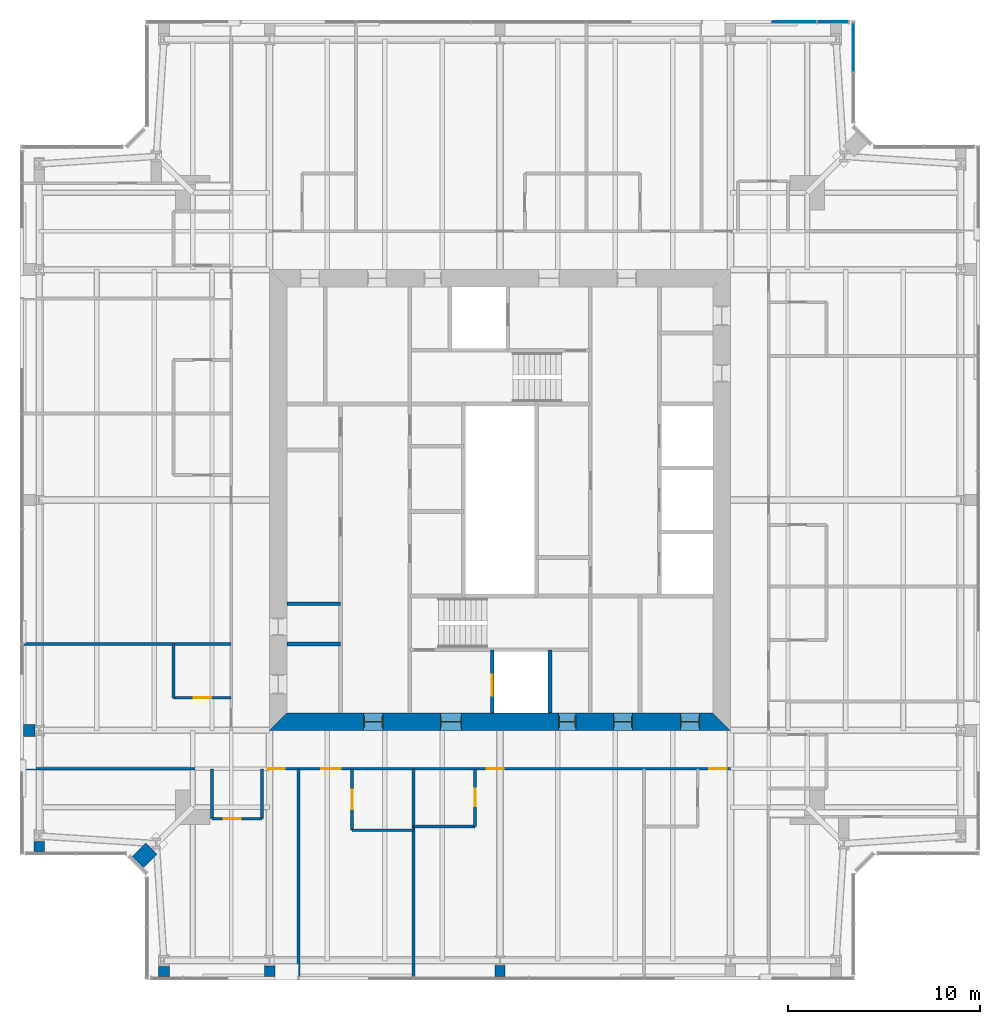
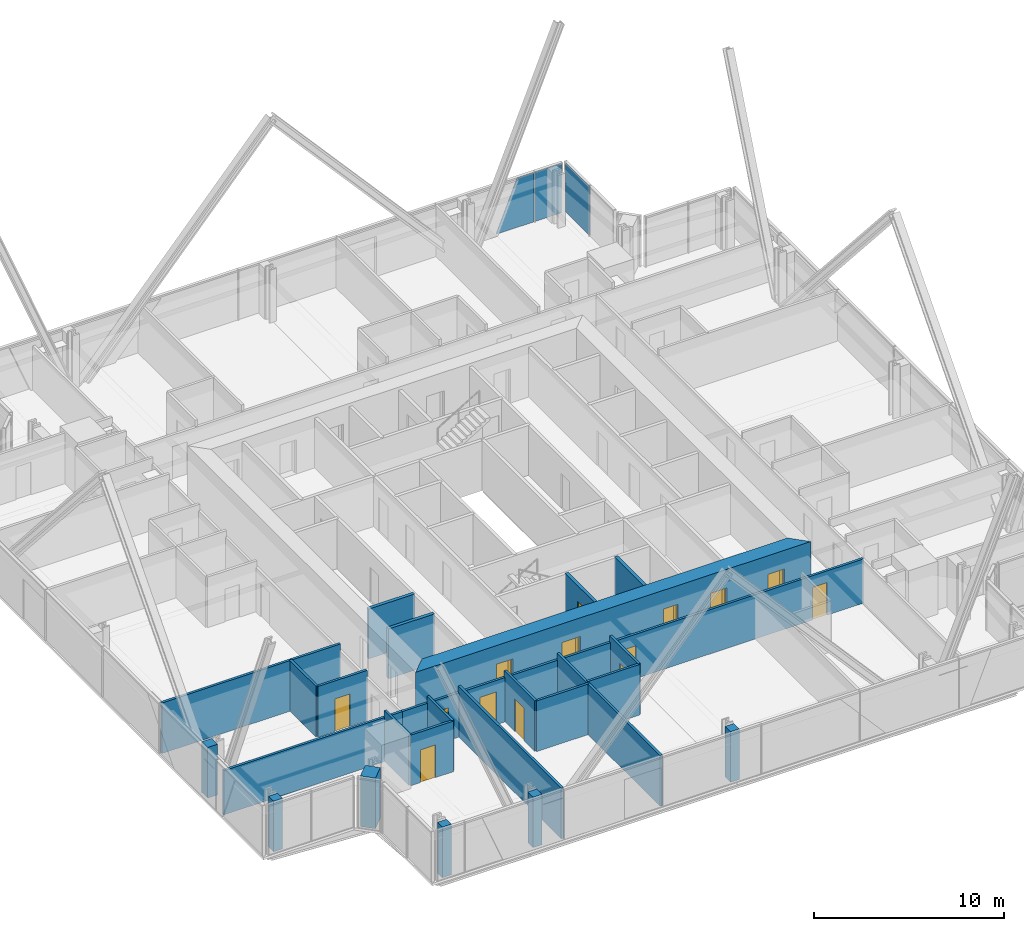
# One storey, part 11 of 18: 25 walls, 14 doors, 3 plates, 14 openings, 2 elements without a shape of their own.
"""IFC4 building model written with IfcOpenShell, lengths in metres."""

from ifc_helpers import new_model, si_unit, direction, frame, frame_2d, origin, origin_2d, place, context, subcontext, project, spatial, polyline, rectangle, outline, extrude, material, layer, layer_set, type_object, element, fill, aggregate, save


model = new_model("IFC4")

# Units and contexts
model_context = context("Model", 3, precision=1e-05, world=origin(), true_north=direction((0.0, 1.0)))
body_context = subcontext(model_context, "Body", "Model", "MODEL_VIEW")
ifc_project = project(units=[si_unit("LENGTHUNIT", "METRE"), si_unit("AREAUNIT", "SQUARE_METRE"), si_unit("VOLUMEUNIT", "CUBIC_METRE"), si_unit("PLANEANGLEUNIT", "RADIAN"), si_unit("MASSUNIT", "GRAM", prefix="KILO")], contexts=[model_context])

# Site, building, storey
site_placement = place(None, origin())
site = spatial("IfcSite", under=ifc_project, at=site_placement, CompositionType="ELEMENT")
building_placement = place(site_placement, origin())
building = spatial("IfcBuilding", under=site, at=building_placement, Name="Fenwick Lantern Interchange", CompositionType="ELEMENT")
storey_placement = place(building_placement, frame((0.0, 0.0, 269.60009765625)))
storey = spatial("IfcBuildingStorey", under=building, at=storey_placement, Name="L64", CompositionType="ELEMENT", Elevation=269.60009765625)

# Curtain wall, plate
ifc_material_1 = material(Name="Aluminium curtain wall frame", Category="aluminium")
curtain_wall_type = type_object("IfcCurtainWallType", Name="HOTEL CURTAIN WALL", PredefinedType="USERDEFINED", material=ifc_material_1)
curtain_wall_1_placement = place(storey_placement, origin())
curtain_wall_1 = element("IfcCurtainWall", 1, at=curtain_wall_1_placement, inside=storey, type_object=curtain_wall_type, Name="Hotel curtain wall 08", ObjectType="HOTEL CURTAIN WALL", PredefinedType="USERDEFINED")
ifc_material_2 = material(Name="Vision glass, acoustic laminated double glazed unit", Category="glass")
ifc_layer_1 = layer(ifc_material_2, 0.052001953125)
ifc_layer_set_1 = layer_set([ifc_layer_1], Name="HOTEL CURTAIN WALL PANEL 52")
plate_type = type_object("IfcPlateType", Name="HOTEL CURTAIN WALL PANEL 52", PredefinedType="CURTAIN_PANEL", material=ifc_layer_set_1)
plate_1_placement = place(storey_placement, frame((43.39990234375, 48.57470703125, 0.0), z_axis=(0.0, 0.0, 1.0), x_axis=(0.0, 1.0, 0.0)))
plate_1 = element("IfcPlate", 2, at=plate_1_placement, type_object=plate_type, Name="L64/CW/08/P01", PredefinedType="CURTAIN_PANEL", context=body_context, shape_type="SweptSolid", body=[
    extrude(rectangle(XDim=2.53076171875, YDim=0.052001953125, at=origin_2d()), origin(), (0.0, 0.0, 1.0), 3.14990234375),
])
aggregate(curtain_wall_1, [plate_1])

# Curtain wall, plates
curtain_wall_2_placement = place(storey_placement, origin())
curtain_wall_2 = element("IfcCurtainWall", 3, at=curtain_wall_2_placement, inside=storey, type_object=curtain_wall_type, Name="Hotel curtain wall 09", ObjectType="HOTEL CURTAIN WALL", PredefinedType="USERDEFINED")
plate_2_placement = place(storey_placement, frame((42.3349609375, 49.89990234375, 0.0), z_axis=(0.0, 0.0, 1.0), x_axis=(-1.0, 0.0, 0.0)))
plate_2 = element("IfcPlate", 4, at=plate_2_placement, type_object=plate_type, Name="L64/CW/09/P00", PredefinedType="CURTAIN_PANEL", context=body_context, shape_type="SweptSolid", body=[
    extrude(rectangle(XDim=1.610107421875, YDim=0.052001953125, at=origin_2d()), origin(), (0.0, 0.0, 1.0), 3.14990234375),
])
plate_3_placement = place(storey_placement, frame((43.39990234375, 49.89990234375, 0.0), z_axis=(0.0, 0.0, 1.0), x_axis=(-1.0, 0.0, 0.0)))
plate_3 = element("IfcPlate", 5, at=plate_3_placement, type_object=plate_type, Name="L64/CW/09/P01a", PredefinedType="CURTAIN_PANEL", context=body_context, shape_type="SweptSolid", body=[
    extrude(outline(polyline([(1.929931640625, 0.0), (4.21337890625, 0.0), (2.939453125, 3.14990234375), (1.929931640625, 3.14990234375), (1.929931640625, 0.0)])), frame((0.0, 0.02587890625, 0.0), z_axis=(0.0, -1.0, 0.0), x_axis=(1.0, 0.0, 0.0)), (0.0, 0.0, 1.0), 0.052001953125),
])
aggregate(curtain_wall_2, [plate_2, plate_3])

# Walls
ifc_material_3 = material(Name="Fire-rated gypsum board encasement on steel studs, 2 hour", Category="steel")
ifc_layer_2 = layer(ifc_material_3, 0.52392578125)
ifc_layer_set_2 = layer_set([ifc_layer_2], Name="COLUMN PIER 524")
wall_type_1 = type_object("IfcWallType", Name="COLUMN PIER 524", PredefinedType="PARTITIONING", material=ifc_layer_set_2)
wall_1_placement = place(storey_placement, frame((25.0, 0.18994140625, 0.0), z_axis=(0.0, 0.0, 1.0), x_axis=(0.0, 1.0, 0.0)))
element("IfcWall", 6, at=wall_1_placement, inside=storey, type_object=wall_type_1, Name="L64/W/PIER/CS3", PredefinedType="PARTITIONING", context=body_context, shape_type="SweptSolid", body=[
    extrude(rectangle(XDim=0.572509765625, YDim=0.52392578125, at=frame_2d((0.2861328125, 0.0))), origin(), (0.0, 0.0, 1.0), 3.25),
])
ifc_layer_3 = layer(ifc_material_3, 0.5419921875)
ifc_layer_set_3 = layer_set([ifc_layer_3], Name="COLUMN PIER 542")
wall_type_2 = type_object("IfcWallType", Name="COLUMN PIER 542", PredefinedType="PARTITIONING", material=ifc_layer_set_3)
wall_2_placement = place(storey_placement, frame((13.0, 0.18994140625, 0.0), z_axis=(0.0, 0.0, 1.0), x_axis=(0.0, 1.0, 0.0)))
element("IfcWall", 7, at=wall_2_placement, inside=storey, type_object=wall_type_2, Name="L64/W/PIER/CS2", PredefinedType="PARTITIONING", context=body_context, shape_type="SweptSolid", body=[
    extrude(rectangle(XDim=0.544677734375, YDim=0.5419921875, at=frame_2d((0.2724609375, 0.0))), origin(), (0.0, 0.0, 1.0), 3.25),
])
ifc_layer_4 = layer(ifc_material_3, 0.554931640625)
ifc_layer_set_4 = layer_set([ifc_layer_4], Name="COLUMN PIER 555")
wall_type_3 = type_object("IfcWallType", Name="COLUMN PIER 555", PredefinedType="PARTITIONING", material=ifc_layer_set_4)
for number, where, z_axis, x_axis, name in (
    (8, (7.5, 0.18994140625, 0.0), (0.0, 0.0, 1.0), (0.0, 1.0, 0.0), "L64/W/PIER/CS1"),
    (9, (1.0, 6.68994140625, 0.0), (0.0, 0.0, 1.0), (0.0, 1.0, 0.0), "L64/W/PIER/CW5"),
):
    element("IfcWall", number, at=place(storey_placement, frame(where, z_axis=z_axis, x_axis=x_axis)), inside=storey, type_object=wall_type_3, Name=name, PredefinedType="PARTITIONING", context=body_context, shape_type="SweptSolid", body=[
        extrude(rectangle(XDim=0.525634765625, YDim=0.554931640625, at=frame_2d((0.2626953125, 0.0))), origin(), (0.0, 0.0, 1.0), 3.25),
    ])
ifc_layer_5 = layer(ifc_material_3, 0.631103515625)
ifc_layer_set_5 = layer_set([ifc_layer_5], Name="COLUMN PIER 631")
wall_type_4 = type_object("IfcWallType", Name="COLUMN PIER 631", PredefinedType="PARTITIONING", material=ifc_layer_set_5)
wall_3_placement = place(storey_placement, frame((0.18994140625, 13.0, 0.0), z_axis=(0.0, 0.0, 1.0), x_axis=(1.0, 0.0, 0.0)))
element("IfcWall", 10, at=wall_3_placement, inside=storey, type_object=wall_type_4, Name="L64/W/PIER/CW4", PredefinedType="PARTITIONING", context=body_context, shape_type="SweptSolid", body=[
    extrude(rectangle(XDim=0.589111328125, YDim=0.631103515625, at=frame_2d((0.29443359375, 0.0))), origin(), (0.0, 0.0, 1.0), 3.25),
])
ifc_layer_6 = layer(ifc_material_3, 0.823974609375)
ifc_layer_set_6 = layer_set([ifc_layer_6], Name="COLUMN PIER 824")
wall_type_5 = type_object("IfcWallType", Name="COLUMN PIER 824", PredefinedType="PARTITIONING", material=ifc_layer_set_6)
wall_4_placement = place(storey_placement, frame((6.13427734375, 6.13427734375, 0.0), z_axis=(0.0, 0.0, 1.0), x_axis=(0.707106781187, 0.707106781187, 0.0)))
element("IfcWall", 11, at=wall_4_placement, inside=storey, type_object=wall_type_5, Name="L64/W/PIER/CWR", PredefinedType="PARTITIONING", context=body_context, shape_type="SweptSolid", body=[
    extrude(rectangle(XDim=1.003662109375, YDim=0.823974609375, at=frame_2d((0.501953125, 0.0))), origin(), (0.0, 0.0, 1.0), 3.25),
])

# Wall, opening, door
ifc_material_4 = material(Name="Concrete masonry ASTM C90 Grade N", Category="masonry")
ifc_layer_7 = layer(ifc_material_4, 0.199951171875)
ifc_layer_set_7 = layer_set([ifc_layer_7], Name="Concrete masonry ASTM C90 Grade N")
wall_type_6 = type_object("IfcWallType", Name="CORE PARTITION 200", PredefinedType="PARTITIONING", material=ifc_layer_set_7)
wall_5_placement = place(storey_placement, frame((24.60009765625, 13.89990234375, 0.0), z_axis=(0.0, 0.0, 1.0), x_axis=(0.0, 1.0, 0.0)))
wall_5 = element("IfcWall", 12, at=wall_5_placement, inside=storey, type_object=wall_type_6, Name="L64/W/CORES/h1", PredefinedType="PARTITIONING", context=body_context, shape_type="SweptSolid", body=[
    extrude(rectangle(XDim=3.300048828125, YDim=0.199951171875, at=frame_2d((1.64990234375, 0.0))), origin(), (0.0, 0.0, 1.0), 3.199951171875),
])
opening_1_placement = place(wall_5_placement, frame((0.89990234375, 0.0, 0.0)))
opening_1 = element("IfcOpeningElement", 13, at=opening_1_placement, cuts=wall_5, Name="Opening LD-FL1", PredefinedType="OPENING", context=body_context, shape_type="SweptSolid", body=[
    extrude(rectangle(XDim=1.10009765625, YDim=2.199951171875, at=frame_2d((0.550048828125, 1.10009765625))), frame((0.0, 0.10986328125, 0.0), z_axis=(0.0, -1.0, 0.0), x_axis=(1.0, 0.0, 0.0)), (0.0, 0.0, 1.0), 0.219970703125),
])
ifc_material_5 = material(Name="Steel door and frame", Category="steel")
door_type_1 = type_object("IfcDoorType", Name="LIFT LANDING DOOR 1100 X 2200", OperationType="DOUBLE_DOOR_SLIDING", PredefinedType="DOOR", material=ifc_material_5)
door_1_placement = place(opening_1_placement, origin())
door_1 = element("IfcDoor", 14, at=door_1_placement, inside=storey, type_object=door_type_1, Name="Lift landing door FL1", OperationType="DOUBLE_DOOR_SLIDING", OverallHeight=2.199951171875, OverallWidth=1.10009765625, PredefinedType="DOOR", context=body_context, shape_type="SweptSolid", body=[
    extrude(rectangle(XDim=1.10009765625, YDim=2.199951171875, at=frame_2d((0.550048828125, 1.10009765625))), frame((0.0, 0.02490234375, 0.0), z_axis=(0.0, -1.0, 0.0), x_axis=(1.0, 0.0, 0.0)), (0.0, 0.0, 1.0), 0.050048828125),
])
fill(opening_1, door_1)

# Walls
wall_6_placement = place(storey_placement, frame((27.60009765625, 13.89990234375, 0.0), z_axis=(0.0, 0.0, 1.0), x_axis=(0.0, 1.0, 0.0)))
element("IfcWall", 15, at=wall_6_placement, inside=storey, type_object=wall_type_6, Name="L64/W/CORES/h2", PredefinedType="PARTITIONING", context=body_context, shape_type="SweptSolid", body=[
    extrude(rectangle(XDim=3.300048828125, YDim=0.199951171875, at=frame_2d((1.64990234375, 0.0))), origin(), (0.0, 0.0, 1.0), 3.199951171875),
])
for number, where, z_axis, x_axis, name in (
    (16, (13.89990234375, 17.5, 0.0), (0.0, 0.0, 1.0), (1.0, 0.0, 0.0), "L64/W/CORES/p1"),
    (17, (13.89990234375, 19.60009765625, 0.0), (0.0, 0.0, 1.0), (1.0, 0.0, 0.0), "L64/W/CORES/p2"),
):
    element("IfcWall", number, at=place(storey_placement, frame(where, z_axis=z_axis, x_axis=x_axis)), inside=storey, type_object=wall_type_6, Name=name, PredefinedType="PARTITIONING", context=body_context, shape_type="SweptSolid", body=[
        extrude(rectangle(XDim=2.800048828125, YDim=0.199951171875, at=frame_2d((1.39990234375, 0.0))), origin(), (0.0, 0.0, 1.0), 3.199951171875),
    ])

# Wall, openings, doors
ifc_material_6 = material(Name="Concrete f'c 70 MPa", Category="concrete")
ifc_layer_8 = layer(ifc_material_6, 0.89990234375)
ifc_layer_set_8 = layer_set([ifc_layer_8], Name="CORE WALL 900")
wall_type_7 = type_object("IfcWallType", Name="CORE WALL 900", PredefinedType="SHEAR", material=ifc_layer_set_8)
wall_7_placement = place(storey_placement, frame((13.0, 13.449951171875, 0.0), z_axis=(0.0, 0.0, 1.0), x_axis=(1.0, 0.0, 0.0)))
wall_7 = element("IfcWall", 18, at=wall_7_placement, inside=storey, type_object=wall_type_7, Name="L64/CORE/S", PredefinedType="SHEAR", context=body_context, shape_type="SweptSolid", body=[
    extrude(outline(polyline([(0.0, -0.449951171875), (24.0, -0.449951171875), (23.10009765625, 0.449951171875), (0.89990234375, 0.449951171875), (0.0, -0.449951171875)])), origin(), (0.0, 0.0, 1.0), 3.39990234375),
])
opening_2_placement = place(wall_7_placement, frame((4.89990234375, 0.0, 0.0)))
opening_2 = element("IfcOpeningElement", 19, at=opening_2_placement, cuts=wall_7, Name="Opening L64-D001", PredefinedType="OPENING", context=body_context, shape_type="SweptSolid", body=[
    extrude(rectangle(XDim=1.0, YDim=2.199951171875, at=frame_2d((0.5, 1.10009765625))), frame((0.0, 0.4599609375, 0.0), z_axis=(0.0, -1.0, 0.0), x_axis=(1.0, 0.0, 0.0)), (0.0, 0.0, 1.0), 0.919921875),
])
opening_3_placement = place(wall_7_placement, frame((8.89990234375, 0.0, 0.0)))
opening_3 = element("IfcOpeningElement", 20, at=opening_3_placement, cuts=wall_7, Name="Opening L64-D002", PredefinedType="OPENING", context=body_context, shape_type="SweptSolid", body=[
    extrude(rectangle(XDim=1.10009765625, YDim=2.199951171875, at=frame_2d((0.550048828125, 1.10009765625))), frame((0.0, 0.4599609375, 0.0), z_axis=(0.0, -1.0, 0.0), x_axis=(1.0, 0.0, 0.0)), (0.0, 0.0, 1.0), 0.919921875),
])
opening_4_placement = place(wall_7_placement, frame((15.050048828125, 0.0, 0.0)))
opening_4 = element("IfcOpeningElement", 21, at=opening_4_placement, cuts=wall_7, Name="Opening L64-D004", PredefinedType="OPENING", context=body_context, shape_type="SweptSolid", body=[
    extrude(rectangle(XDim=0.89990234375, YDim=2.199951171875, at=frame_2d((0.449951171875, 1.10009765625))), frame((0.0, 0.4599609375, 0.0), z_axis=(0.0, -1.0, 0.0), x_axis=(1.0, 0.0, 0.0)), (0.0, 0.0, 1.0), 0.919921875),
])
opening_5_placement = place(wall_7_placement, frame((17.89990234375, 0.0, 0.0)))
opening_5 = element("IfcOpeningElement", 22, at=opening_5_placement, cuts=wall_7, Name="Opening L64-D005", PredefinedType="OPENING", context=body_context, shape_type="SweptSolid", body=[
    extrude(rectangle(XDim=1.0, YDim=2.199951171875, at=frame_2d((0.5, 1.10009765625))), frame((0.0, 0.4599609375, 0.0), z_axis=(0.0, -1.0, 0.0), x_axis=(1.0, 0.0, 0.0)), (0.0, 0.0, 1.0), 0.919921875),
])
opening_6_placement = place(wall_7_placement, frame((21.39990234375, 0.0, 0.0)))
opening_6 = element("IfcOpeningElement", 23, at=opening_6_placement, cuts=wall_7, Name="Opening L64-D006", PredefinedType="OPENING", context=body_context, shape_type="SweptSolid", body=[
    extrude(rectangle(XDim=1.0, YDim=2.199951171875, at=frame_2d((0.5, 1.10009765625))), frame((0.0, 0.4599609375, 0.0), z_axis=(0.0, -1.0, 0.0), x_axis=(1.0, 0.0, 0.0)), (0.0, 0.0, 1.0), 0.919921875),
])
door_type_2 = type_object("IfcDoorType", Name="CORE LOBBY DOOR 1000 X 2200", OperationType="SINGLE_SWING_LEFT", PredefinedType="DOOR", material=ifc_material_5)
door_2_placement = place(opening_2_placement, origin())
door_2 = element("IfcDoor", 24, at=door_2_placement, inside=storey, type_object=door_type_2, Name="Core lobby door", OperationType="SINGLE_SWING_LEFT", OverallHeight=2.199951171875, OverallWidth=1.0, PredefinedType="DOOR", context=body_context, shape_type="SweptSolid", body=[
    extrude(rectangle(XDim=1.0, YDim=2.199951171875, at=frame_2d((0.5, 1.10009765625))), frame((0.0, 0.02490234375, 0.0), z_axis=(0.0, -1.0, 0.0), x_axis=(1.0, 0.0, 0.0)), (0.0, 0.0, 1.0), 0.050048828125),
    extrude(outline(polyline([(0.0, 0.0), (0.0400390625, 0.0), (0.0400390625, 2.159912109375), (0.9599609375, 2.159912109375), (0.9599609375, 0.0), (1.0, 0.0), (1.0, 2.199951171875), (0.0, 2.199951171875), (0.0, 0.0)])), frame((0.0, 0.300048828125, 0.0), z_axis=(0.0, -1.0, 0.0), x_axis=(1.0, 0.0, 0.0)), (0.0, 0.0, 1.0), 0.60009765625),
])
fill(opening_2, door_2)
door_type_3 = type_object("IfcDoorType", Name="FIRE LOBBY DOOR 1100 X 2200", OperationType="SINGLE_SWING_LEFT", PredefinedType="DOOR", material=ifc_material_5)
door_3_placement = place(opening_3_placement, origin())
door_3 = element("IfcDoor", 25, at=door_3_placement, inside=storey, type_object=door_type_3, Name="Fire lobby door", OperationType="SINGLE_SWING_LEFT", OverallHeight=2.199951171875, OverallWidth=1.10009765625, PredefinedType="DOOR", context=body_context, shape_type="SweptSolid", body=[
    extrude(rectangle(XDim=1.10009765625, YDim=2.199951171875, at=frame_2d((0.550048828125, 1.10009765625))), frame((0.0, 0.02490234375, 0.0), z_axis=(0.0, -1.0, 0.0), x_axis=(1.0, 0.0, 0.0)), (0.0, 0.0, 1.0), 0.050048828125),
    extrude(outline(polyline([(0.0, 0.0), (0.0400390625, 0.0), (0.0400390625, 2.159912109375), (1.06005859375, 2.159912109375), (1.06005859375, 0.0), (1.10009765625, 0.0), (1.10009765625, 2.199951171875), (0.0, 2.199951171875), (0.0, 0.0)])), frame((0.0, 0.300048828125, 0.0), z_axis=(0.0, -1.0, 0.0), x_axis=(1.0, 0.0, 0.0)), (0.0, 0.0, 1.0), 0.60009765625),
])
fill(opening_3, door_3)
door_type_4 = type_object("IfcDoorType", Name="SERVICE DOOR 900 X 2200", OperationType="SINGLE_SWING_LEFT", PredefinedType="DOOR", material=ifc_material_5)
door_4_placement = place(opening_4_placement, origin())
door_4 = element("IfcDoor", 26, at=door_4_placement, inside=storey, type_object=door_type_4, Name="Service door", OperationType="SINGLE_SWING_LEFT", OverallHeight=2.199951171875, OverallWidth=0.89990234375, PredefinedType="DOOR", context=body_context, shape_type="SweptSolid", body=[
    extrude(rectangle(XDim=0.89990234375, YDim=2.199951171875, at=frame_2d((0.449951171875, 1.10009765625))), frame((0.0, 0.02490234375, 0.0), z_axis=(0.0, -1.0, 0.0), x_axis=(1.0, 0.0, 0.0)), (0.0, 0.0, 1.0), 0.050048828125),
    extrude(outline(polyline([(0.0, 0.0), (0.0400390625, 0.0), (0.0400390625, 2.159912109375), (0.85986328125, 2.159912109375), (0.85986328125, 0.0), (0.89990234375, 0.0), (0.89990234375, 2.199951171875), (0.0, 2.199951171875), (0.0, 0.0)])), frame((0.0, 0.300048828125, 0.0), z_axis=(0.0, -1.0, 0.0), x_axis=(1.0, 0.0, 0.0)), (0.0, 0.0, 1.0), 0.60009765625),
])
fill(opening_4, door_4)
ifc_material_7 = material(Name="Hardwood door and steel frame", Category="steel")
door_type_5 = type_object("IfcDoorType", Name="WC DOOR 1000 X 2200", OperationType="SINGLE_SWING_LEFT", PredefinedType="DOOR", material=ifc_material_7)
door_5_placement = place(opening_5_placement, origin())
door_5 = element("IfcDoor", 27, at=door_5_placement, inside=storey, type_object=door_type_5, Name="Wc door", OperationType="SINGLE_SWING_RIGHT", OverallHeight=2.199951171875, OverallWidth=1.0, PredefinedType="DOOR", context=body_context, shape_type="SweptSolid", body=[
    extrude(rectangle(XDim=1.0, YDim=2.199951171875, at=frame_2d((0.5, 1.10009765625))), frame((0.0, 0.02490234375, 0.0), z_axis=(0.0, -1.0, 0.0), x_axis=(1.0, 0.0, 0.0)), (0.0, 0.0, 1.0), 0.050048828125),
    extrude(outline(polyline([(0.0, 0.0), (0.0400390625, 0.0), (0.0400390625, 2.159912109375), (0.9599609375, 2.159912109375), (0.9599609375, 0.0), (1.0, 0.0), (1.0, 2.199951171875), (0.0, 2.199951171875), (0.0, 0.0)])), frame((0.0, 0.300048828125, 0.0), z_axis=(0.0, -1.0, 0.0), x_axis=(1.0, 0.0, 0.0)), (0.0, 0.0, 1.0), 0.60009765625),
])
fill(opening_5, door_5)
door_6_placement = place(opening_6_placement, origin())
door_6 = element("IfcDoor", 28, at=door_6_placement, inside=storey, type_object=door_type_5, Name="Wc door", OperationType="SINGLE_SWING_RIGHT", OverallHeight=2.199951171875, OverallWidth=1.0, PredefinedType="DOOR", context=body_context, shape_type="SweptSolid", body=[
    extrude(rectangle(XDim=1.0, YDim=2.199951171875, at=frame_2d((0.5, 1.10009765625))), frame((0.0, 0.02490234375, 0.0), z_axis=(0.0, -1.0, 0.0), x_axis=(1.0, 0.0, 0.0)), (0.0, 0.0, 1.0), 0.050048828125),
    extrude(outline(polyline([(0.0, 0.0), (0.0400390625, 0.0), (0.0400390625, 2.159912109375), (0.9599609375, 2.159912109375), (0.9599609375, 0.0), (1.0, 0.0), (1.0, 2.199951171875), (0.0, 2.199951171875), (0.0, 0.0)])), frame((0.0, 0.300048828125, 0.0), z_axis=(0.0, -1.0, 0.0), x_axis=(1.0, 0.0, 0.0)), (0.0, 0.0, 1.0), 0.60009765625),
])
fill(opening_6, door_6)

ifc_material_8 = material(Name="Gypsum board on steel studs, 1 hour", Category="steel")
ifc_layer_9 = layer(ifc_material_8, 0.14990234375)
ifc_layer_set_9 = layer_set([ifc_layer_9], Name="CORRIDOR WALL 150")
wall_type_8 = type_object("IfcWallType", Name="CORRIDOR WALL 150", PredefinedType="PARTITIONING", material=ifc_layer_set_9)
wall_8_placement = place(storey_placement, frame((11.0, 11.0, 0.0), z_axis=(0.0, 0.0, 1.0), x_axis=(1.0, 0.0, 0.0)))
wall_8 = element("IfcWall", 29, at=wall_8_placement, inside=storey, type_object=wall_type_8, Name="L64/W/HOTEL/S/CW", PredefinedType="PARTITIONING", context=body_context, shape_type="SweptSolid", body=[
    extrude(rectangle(XDim=28.0, YDim=0.14990234375, at=frame_2d((14.0, 0.0))), origin(), (0.0, 0.0, 1.0), 2.843505859375),
])
opening_7_placement = place(wall_8_placement, frame((1.89990234375, 0.0, 0.0)))
opening_7 = element("IfcOpeningElement", 30, at=opening_7_placement, cuts=wall_8, Name="Opening L64-D024", PredefinedType="OPENING", context=body_context, shape_type="SweptSolid", body=[
    extrude(rectangle(XDim=0.89990234375, YDim=2.10009765625, at=frame_2d((0.449951171875, 1.050048828125))), frame((0.0, 0.0849609375, 0.0), z_axis=(0.0, -1.0, 0.0), x_axis=(1.0, 0.0, 0.0)), (0.0, 0.0, 1.0), 0.169921875),
])
opening_8_placement = place(wall_8_placement, frame((4.699951171875, 0.0, 0.0)))
opening_8 = element("IfcOpeningElement", 31, at=opening_8_placement, cuts=wall_8, Name="Opening L64-D027", PredefinedType="OPENING", context=body_context, shape_type="SweptSolid", body=[
    extrude(rectangle(XDim=1.0, YDim=2.10009765625, at=frame_2d((0.5, 1.050048828125))), frame((0.0, 0.0849609375, 0.0), z_axis=(0.0, -1.0, 0.0), x_axis=(1.0, 0.0, 0.0)), (0.0, 0.0, 1.0), 0.169921875),
])
opening_9_placement = place(wall_8_placement, frame((13.300048828125, 0.0, 0.0)))
opening_9 = element("IfcOpeningElement", 32, at=opening_9_placement, cuts=wall_8, Name="Opening L64-D029", PredefinedType="OPENING", context=body_context, shape_type="SweptSolid", body=[
    extrude(rectangle(XDim=0.89990234375, YDim=2.10009765625, at=frame_2d((0.449951171875, 1.050048828125))), frame((0.0, 0.0849609375, 0.0), z_axis=(0.0, -1.0, 0.0), x_axis=(1.0, 0.0, 0.0)), (0.0, 0.0, 1.0), 0.169921875),
])
opening_10_placement = place(wall_8_placement, frame((24.89990234375, 0.0, 0.0)))
opening_10 = element("IfcOpeningElement", 33, at=opening_10_placement, cuts=wall_8, Name="Opening L64-D031", PredefinedType="OPENING", context=body_context, shape_type="SweptSolid", body=[
    extrude(rectangle(XDim=0.89990234375, YDim=2.10009765625, at=frame_2d((0.449951171875, 1.050048828125))), frame((0.0, 0.0849609375, 0.0), z_axis=(0.0, -1.0, 0.0), x_axis=(1.0, 0.0, 0.0)), (0.0, 0.0, 1.0), 0.169921875),
])
door_type_6 = type_object("IfcDoorType", Name="GUEST ROOM DOOR 1000 X 2100", OperationType="SINGLE_SWING_LEFT", PredefinedType="DOOR", material=ifc_material_5)
door_7_placement = place(opening_8_placement, frame((1.0, 0.0, 0.0), z_axis=(0.0, 0.0, 1.0), x_axis=(-1.0, 0.0, 0.0)))
door_7 = element("IfcDoor", 34, at=door_7_placement, inside=storey, type_object=door_type_6, Name="Guest room door", OperationType="SINGLE_SWING_LEFT", OverallHeight=2.10009765625, OverallWidth=1.0, PredefinedType="DOOR", context=body_context, shape_type="SweptSolid", body=[
    extrude(rectangle(XDim=1.0, YDim=2.10009765625, at=frame_2d((0.5, 1.050048828125))), frame((0.0, 0.02490234375, 0.0), z_axis=(0.0, -1.0, 0.0), x_axis=(1.0, 0.0, 0.0)), (0.0, 0.0, 1.0), 0.050048828125),
])
fill(opening_8, door_7)
door_type_7 = type_object("IfcDoorType", Name="GUEST ROOM DOOR 900 X 2100", OperationType="SINGLE_SWING_LEFT", PredefinedType="DOOR", material=ifc_material_5)
door_8_placement = place(opening_7_placement, frame((0.89990234375, 0.0, 0.0), z_axis=(0.0, 0.0, 1.0), x_axis=(-1.0, 0.0, 0.0)))
door_8 = element("IfcDoor", 35, at=door_8_placement, inside=storey, type_object=door_type_7, Name="Guest room door", OperationType="SINGLE_SWING_RIGHT", OverallHeight=2.10009765625, OverallWidth=0.89990234375, PredefinedType="DOOR", context=body_context, shape_type="SweptSolid", body=[
    extrude(rectangle(XDim=0.89990234375, YDim=2.10009765625, at=frame_2d((0.449951171875, 1.050048828125))), frame((0.0, 0.02490234375, 0.0), z_axis=(0.0, -1.0, 0.0), x_axis=(1.0, 0.0, 0.0)), (0.0, 0.0, 1.0), 0.050048828125),
])
fill(opening_7, door_8)
door_9_placement = place(opening_9_placement, frame((0.89990234375, 0.0, 0.0), z_axis=(0.0, 0.0, 1.0), x_axis=(-1.0, 0.0, 0.0)))
door_9 = element("IfcDoor", 36, at=door_9_placement, inside=storey, type_object=door_type_7, Name="Guest room door", OperationType="SINGLE_SWING_RIGHT", OverallHeight=2.10009765625, OverallWidth=0.89990234375, PredefinedType="DOOR", context=body_context, shape_type="SweptSolid", body=[
    extrude(rectangle(XDim=0.89990234375, YDim=2.10009765625, at=frame_2d((0.449951171875, 1.050048828125))), frame((0.0, 0.02490234375, 0.0), z_axis=(0.0, -1.0, 0.0), x_axis=(1.0, 0.0, 0.0)), (0.0, 0.0, 1.0), 0.050048828125),
])
fill(opening_9, door_9)
door_10_placement = place(opening_10_placement, frame((0.89990234375, 0.0, 0.0), z_axis=(0.0, 0.0, 1.0), x_axis=(-1.0, 0.0, 0.0)))
door_10 = element("IfcDoor", 37, at=door_10_placement, inside=storey, type_object=door_type_7, Name="Guest room door", OperationType="SINGLE_SWING_RIGHT", OverallHeight=2.10009765625, OverallWidth=0.89990234375, PredefinedType="DOOR", context=body_context, shape_type="SweptSolid", body=[
    extrude(rectangle(XDim=0.89990234375, YDim=2.10009765625, at=frame_2d((0.449951171875, 1.050048828125))), frame((0.0, 0.02490234375, 0.0), z_axis=(0.0, -1.0, 0.0), x_axis=(1.0, 0.0, 0.0)), (0.0, 0.0, 1.0), 0.050048828125),
])
fill(opening_10, door_10)

# Wall, opening, door
ifc_material_9 = material(Name="Gypsum board on steel studs, moisture resistant", Category="steel")
ifc_layer_10 = layer(ifc_material_9, 0.14990234375)
ifc_layer_set_10 = layer_set([ifc_layer_10], Name="EN-SUITE WALL 150")
wall_type_9 = type_object("IfcWallType", Name="EN-SUITE WALL 150", PredefinedType="PARTITIONING", material=ifc_layer_set_10)
wall_9_placement = place(storey_placement, frame((10.0, 8.39990234375, 0.0), z_axis=(0.0, 0.0, 1.0), x_axis=(1.0, 0.0, 0.0)))
wall_9 = element("IfcWall", 38, at=wall_9_placement, inside=storey, type_object=wall_type_9, Name="L64/W/HOTEL/S/U1BW", PredefinedType="PARTITIONING", context=body_context, shape_type="SweptSolid", body=[
    extrude(rectangle(XDim=2.60009765625, YDim=0.14990234375, at=frame_2d((1.300048828125, 0.0))), origin(), (0.0, 0.0, 1.0), 3.25),
])
opening_11_placement = place(wall_9_placement, frame((0.60009765625, 0.0, 0.0)))
opening_11 = element("IfcOpeningElement", 39, at=opening_11_placement, cuts=wall_9, Name="Opening L64-D025", PredefinedType="OPENING", context=body_context, shape_type="SweptSolid", body=[
    extrude(rectangle(XDim=0.89990234375, YDim=2.10009765625, at=frame_2d((0.449951171875, 1.050048828125))), frame((0.0, 0.0849609375, 0.0), z_axis=(0.0, -1.0, 0.0), x_axis=(1.0, 0.0, 0.0)), (0.0, 0.0, 1.0), 0.169921875),
])
door_type_8 = type_object("IfcDoorType", Name="EN-SUITE DOOR 900 X 2100", OperationType="SINGLE_SWING_LEFT", PredefinedType="DOOR", material=ifc_material_7)
door_11_placement = place(opening_11_placement, origin())
door_11 = element("IfcDoor", 40, at=door_11_placement, inside=storey, type_object=door_type_8, Name="En-suite door", OperationType="SINGLE_SWING_LEFT", OverallHeight=2.10009765625, OverallWidth=0.89990234375, PredefinedType="DOOR", context=body_context, shape_type="SweptSolid", body=[
    extrude(rectangle(XDim=0.89990234375, YDim=2.10009765625, at=frame_2d((0.449951171875, 1.050048828125))), frame((0.0, 0.02490234375, 0.0), z_axis=(0.0, -1.0, 0.0), x_axis=(1.0, 0.0, 0.0)), (0.0, 0.0, 1.0), 0.050048828125),
])
fill(opening_11, door_11)

# Walls
for number, where, z_axis, x_axis, name in (
    (41, (10.0, 8.39990234375, 0.0), (0.0, 0.0, 1.0), (0.0, 1.0, 0.0), "L64/W/HOTEL/S/U1BX"),
    (42, (12.60009765625, 8.39990234375, 0.0), (0.0, 0.0, 1.0), (0.0, 1.0, 0.0), "L64/W/HOTEL/S/U1BE"),
):
    element("IfcWall", number, at=place(storey_placement, frame(where, z_axis=z_axis, x_axis=x_axis)), inside=storey, type_object=wall_type_9, Name=name, PredefinedType="PARTITIONING", context=body_context, shape_type="SweptSolid", body=[
        extrude(rectangle(XDim=2.60009765625, YDim=0.14990234375, at=frame_2d((1.300048828125, 0.0))), origin(), (0.0, 0.0, 1.0), 3.25),
    ])
wall_10_placement = place(storey_placement, frame((17.300048828125, 7.800048828125, 0.0), z_axis=(0.0, 0.0, 1.0), x_axis=(1.0, 0.0, 0.0)))
element("IfcWall", 43, at=wall_10_placement, inside=storey, type_object=wall_type_9, Name="L64/W/HOTEL/S/U2BW", PredefinedType="PARTITIONING", context=body_context, shape_type="SweptSolid", body=[
    extrude(rectangle(XDim=3.199951171875, YDim=0.14990234375, at=frame_2d((1.60009765625, 0.0))), origin(), (0.0, 0.0, 1.0), 3.25),
])

# Wall, opening, door
wall_11_placement = place(storey_placement, frame((17.300048828125, 7.800048828125, 0.0), z_axis=(0.0, 0.0, 1.0), x_axis=(0.0, 1.0, 0.0)))
wall_11 = element("IfcWall", 44, at=wall_11_placement, inside=storey, type_object=wall_type_9, Name="L64/W/HOTEL/S/U2BX", PredefinedType="PARTITIONING", context=body_context, shape_type="SweptSolid", body=[
    extrude(rectangle(XDim=3.199951171875, YDim=0.14990234375, at=frame_2d((1.60009765625, 0.0))), origin(), (0.0, 0.0, 1.0), 3.25),
])
opening_12_placement = place(wall_11_placement, frame((1.10009765625, 0.0, 0.0)))
opening_12 = element("IfcOpeningElement", 45, at=opening_12_placement, cuts=wall_11, Name="Opening L64-D026", PredefinedType="OPENING", context=body_context, shape_type="SweptSolid", body=[
    extrude(rectangle(XDim=1.0, YDim=2.10009765625, at=frame_2d((0.5, 1.050048828125))), frame((0.0, 0.0849609375, 0.0), z_axis=(0.0, -1.0, 0.0), x_axis=(1.0, 0.0, 0.0)), (0.0, 0.0, 1.0), 0.169921875),
])
door_type_9 = type_object("IfcDoorType", Name="EN-SUITE DOOR 1000 X 2100", OperationType="SINGLE_SWING_LEFT", PredefinedType="DOOR", material=ifc_material_7)
door_12_placement = place(opening_12_placement, frame((1.0, 0.0, 0.0), z_axis=(0.0, 0.0, 1.0), x_axis=(-1.0, 0.0, 0.0)))
door_12 = element("IfcDoor", 46, at=door_12_placement, inside=storey, type_object=door_type_9, Name="En-suite door", OperationType="SINGLE_SWING_RIGHT", OverallHeight=2.10009765625, OverallWidth=1.0, PredefinedType="DOOR", context=body_context, shape_type="SweptSolid", body=[
    extrude(rectangle(XDim=1.0, YDim=2.10009765625, at=frame_2d((0.5, 1.050048828125))), frame((0.0, 0.02490234375, 0.0), z_axis=(0.0, -1.0, 0.0), x_axis=(1.0, 0.0, 0.0)), (0.0, 0.0, 1.0), 0.050048828125),
])
fill(opening_12, door_12)

# Wall
wall_12_placement = place(storey_placement, frame((20.5, 8.0, 0.0), z_axis=(0.0, 0.0, 1.0), x_axis=(1.0, 0.0, 0.0)))
element("IfcWall", 47, at=wall_12_placement, inside=storey, type_object=wall_type_9, Name="L64/W/HOTEL/S/U3BW", PredefinedType="PARTITIONING", context=body_context, shape_type="SweptSolid", body=[
    extrude(rectangle(XDim=3.199951171875, YDim=0.14990234375, at=frame_2d((1.60009765625, 0.0))), origin(), (0.0, 0.0, 1.0), 3.25),
])

# Wall, opening, door
wall_13_placement = place(storey_placement, frame((23.699951171875, 8.0, 0.0), z_axis=(0.0, 0.0, 1.0), x_axis=(0.0, 1.0, 0.0)))
wall_13 = element("IfcWall", 48, at=wall_13_placement, inside=storey, type_object=wall_type_9, Name="L64/W/HOTEL/S/U3BX", PredefinedType="PARTITIONING", context=body_context, shape_type="SweptSolid", body=[
    extrude(rectangle(XDim=3.0, YDim=0.14990234375, at=frame_2d((1.5, 0.0))), origin(), (0.0, 0.0, 1.0), 3.25),
])
opening_13_placement = place(wall_13_placement, frame((1.050048828125, 0.0, 0.0)))
opening_13 = element("IfcOpeningElement", 49, at=opening_13_placement, cuts=wall_13, Name="Opening L64-D028", PredefinedType="OPENING", context=body_context, shape_type="SweptSolid", body=[
    extrude(rectangle(XDim=0.89990234375, YDim=2.10009765625, at=frame_2d((0.449951171875, 1.050048828125))), frame((0.0, 0.0849609375, 0.0), z_axis=(0.0, -1.0, 0.0), x_axis=(1.0, 0.0, 0.0)), (0.0, 0.0, 1.0), 0.169921875),
])
door_13_placement = place(opening_13_placement, origin())
door_13 = element("IfcDoor", 50, at=door_13_placement, inside=storey, type_object=door_type_8, Name="En-suite door", OperationType="SINGLE_SWING_LEFT", OverallHeight=2.10009765625, OverallWidth=0.89990234375, PredefinedType="DOOR", context=body_context, shape_type="SweptSolid", body=[
    extrude(rectangle(XDim=0.89990234375, YDim=2.10009765625, at=frame_2d((0.449951171875, 1.050048828125))), frame((0.0, 0.02490234375, 0.0), z_axis=(0.0, -1.0, 0.0), x_axis=(1.0, 0.0, 0.0)), (0.0, 0.0, 1.0), 0.050048828125),
])
fill(opening_13, door_13)

# Wall
wall_14_placement = place(storey_placement, frame((8.0, 17.5, 0.0), z_axis=(0.0, 0.0, 1.0), x_axis=(0.0, -1.0, 0.0)))
element("IfcWall", 51, at=wall_14_placement, inside=storey, type_object=wall_type_9, Name="L64/W/HOTEL/W/U4BW", PredefinedType="PARTITIONING", context=body_context, shape_type="SweptSolid", body=[
    extrude(rectangle(XDim=2.800048828125, YDim=0.14990234375, at=frame_2d((1.39990234375, 0.0))), origin(), (0.0, 0.0, 1.0), 3.25),
])

# Wall, opening, door
wall_15_placement = place(storey_placement, frame((8.0, 14.699951171875, 0.0), z_axis=(0.0, 0.0, 1.0), x_axis=(1.0, 0.0, 0.0)))
wall_15 = element("IfcWall", 52, at=wall_15_placement, inside=storey, type_object=wall_type_9, Name="L64/W/HOTEL/W/U4BX", PredefinedType="PARTITIONING", context=body_context, shape_type="SweptSolid", body=[
    extrude(rectangle(XDim=3.0, YDim=0.14990234375, at=frame_2d((1.5, 0.0))), origin(), (0.0, 0.0, 1.0), 3.25),
])
opening_14_placement = place(wall_15_placement, frame((1.050048828125, 0.0, 0.0)))
opening_14 = element("IfcOpeningElement", 53, at=opening_14_placement, cuts=wall_15, Name="Opening L64-D056", PredefinedType="OPENING", context=body_context, shape_type="SweptSolid", body=[
    extrude(rectangle(XDim=0.89990234375, YDim=2.10009765625, at=frame_2d((0.449951171875, 1.050048828125))), frame((0.0, 0.0849609375, 0.0), z_axis=(0.0, -1.0, 0.0), x_axis=(1.0, 0.0, 0.0)), (0.0, 0.0, 1.0), 0.169921875),
])
door_14_placement = place(opening_14_placement, origin())
door_14 = element("IfcDoor", 54, at=door_14_placement, inside=storey, type_object=door_type_8, Name="En-suite door", OperationType="SINGLE_SWING_LEFT", OverallHeight=2.10009765625, OverallWidth=0.89990234375, PredefinedType="DOOR", context=body_context, shape_type="SweptSolid", body=[
    extrude(rectangle(XDim=0.89990234375, YDim=2.10009765625, at=frame_2d((0.449951171875, 1.050048828125))), frame((0.0, 0.02490234375, 0.0), z_axis=(0.0, -1.0, 0.0), x_axis=(1.0, 0.0, 0.0)), (0.0, 0.0, 1.0), 0.050048828125),
])
fill(opening_14, door_14)

# Walls
ifc_material_10 = material(Name="Gypsum board on steel studs, 1 hour acoustic", Category="steel")
ifc_layer_11 = layer(ifc_material_10, 0.14990234375)
ifc_layer_set_11 = layer_set([ifc_layer_11], Name="PARTY WALL 150")
wall_type_10 = type_object("IfcWallType", Name="PARTY WALL 150", PredefinedType="PARTITIONING", material=ifc_layer_set_11)
wall_16_placement = place(storey_placement, frame((0.14990234375, 11.0, 0.0), z_axis=(0.0, 0.0, 1.0), x_axis=(1.0, 0.0, 0.0)))
element("IfcWall", 55, at=wall_16_placement, inside=storey, type_object=wall_type_10, Name="L64/W/HOTEL/S/SW3", PredefinedType="PARTITIONING", context=body_context, shape_type="SweptSolid", body=[
    extrude(rectangle(XDim=10.85009765625, YDim=0.14990234375, at=frame_2d((5.425048828125, 0.0))), origin(), (0.0, 0.0, 1.0), 2.843505859375),
])
for number, where, z_axis, x_axis, name in (
    (56, (14.5, 0.14990234375, 0.0), (0.0, 0.0, 1.0), (0.0, 1.0, 0.0), "L64/W/HOTEL/S/U2PW"),
    (57, (20.5, 0.14990234375, 0.0), (0.0, 0.0, 1.0), (0.0, 1.0, 0.0), "L64/W/HOTEL/S/U3PW"),
    (58, (0.14990234375, 17.5, 0.0), (0.0, 0.0, 1.0), (1.0, 0.0, 0.0), "L64/W/HOTEL/W/U4PW"),
):
    element("IfcWall", number, at=place(storey_placement, frame(where, z_axis=z_axis, x_axis=x_axis)), inside=storey, type_object=wall_type_10, Name=name, PredefinedType="PARTITIONING", context=body_context, shape_type="SweptSolid", body=[
        extrude(rectangle(XDim=10.85009765625, YDim=0.14990234375, at=frame_2d((5.425048828125, 0.0))), origin(), (0.0, 0.0, 1.0), 3.25),
    ])

save(model, "model.ifc")
